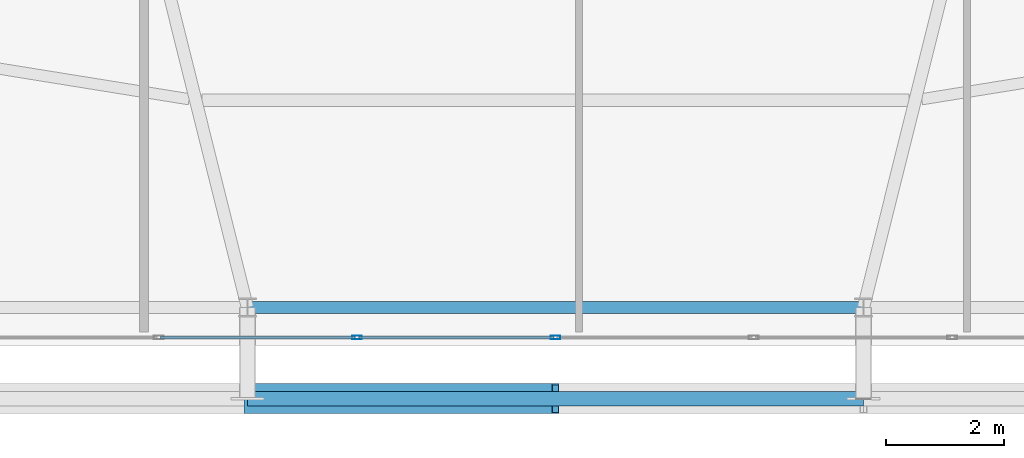
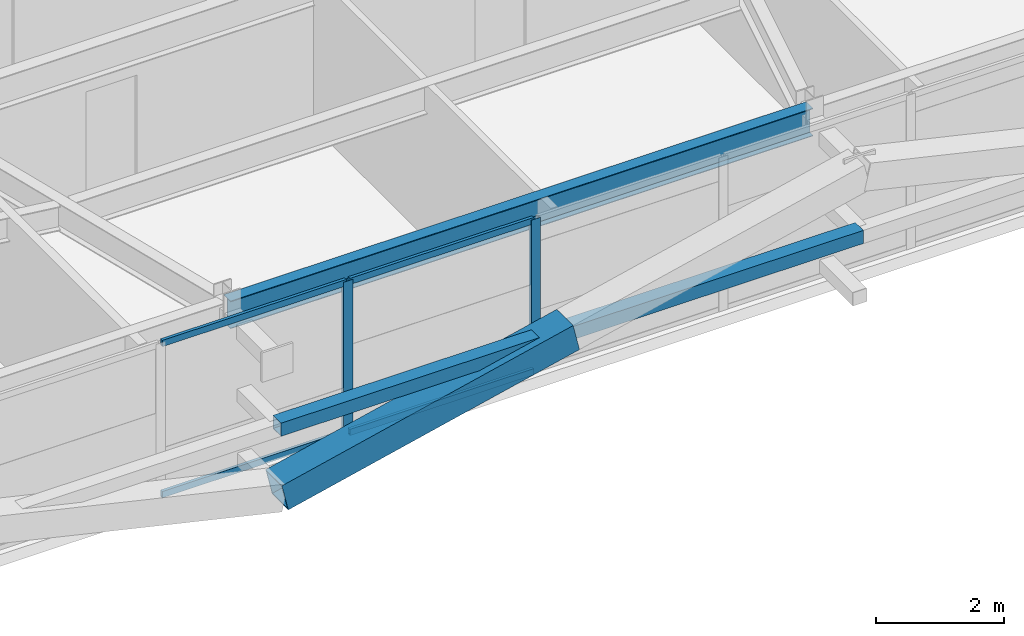
# One storey, part 12 of 58: 8 members, 1 beam, 1 element without a shape of its own.
"""IFC4 building model written with IfcOpenShell, lengths in metres."""

from ifc_helpers import new_model, si_unit, direction, frame, origin, origin_2d, place, context, subcontext, project, spatial, hollow_rectangle, i_section, extrude, source, transform, mapped, material, layer, layer_set, material_profile, profile_set, type_object, element, aggregate, save


model = new_model("IFC4")

# Units and contexts
model_context = context("Model", 3, precision=1e-05, world=origin(), true_north=direction((0.0, 1.0)))
body_context = subcontext(model_context, "Body", "Model", "MODEL_VIEW")
ifc_project = project(units=[si_unit("LENGTHUNIT", "METRE"), si_unit("AREAUNIT", "SQUARE_METRE"), si_unit("VOLUMEUNIT", "CUBIC_METRE"), si_unit("PLANEANGLEUNIT", "RADIAN"), si_unit("MASSUNIT", "GRAM", prefix="KILO")], contexts=[model_context])

# Site, building, storey
site_placement = place(None, origin())
site = spatial("IfcSite", under=ifc_project, at=site_placement, CompositionType="ELEMENT")
building_placement = place(site_placement, origin())
building = spatial("IfcBuilding", under=site, at=building_placement, Name="Taldren Reach Tower", CompositionType="ELEMENT")
storey_placement = place(building_placement, frame((0.0, 0.0, 35.699951171875)))
storey = spatial("IfcBuildingStorey", under=building, at=storey_placement, Name="L10", CompositionType="ELEMENT", Elevation=35.699951171875)

# Beam
ifc_material_1 = material(Name="Steel Gr 350 (350PLUS)", Category="steel")
ifc_material_profile_1 = material_profile(ifc_material_1, i_section(OverallWidth=0.208984375, OverallDepth=0.528076171875, WebThickness=0.009521484375, FlangeThickness=0.01318359375, at=origin_2d()), Name="530UB82.0")
ifc_profile_set_1 = profile_set([ifc_material_profile_1], Name="Steel Gr 350 (350PLUS)")
beam_type = type_object("IfcBeamType", Name="SP-UB530B", PredefinedType="SPANDREL", material=ifc_profile_set_1)
shared_shape_1 = source(origin(), body_context, "Body", "SweptSolid", [
    extrude(i_section(OverallWidth=0.208984375, OverallDepth=0.528076171875, WebThickness=0.009521484375, FlangeThickness=0.01318359375, at=origin_2d()), origin(), (0.0, 0.0, 1.0), 10.47998046875),
])
beam_placement = place(storey_placement, frame((29.760009765625, 2.14990234375, 2.666015625), z_axis=(1.0, 0.0, 0.0), x_axis=(0.0, 1.0, 0.0)))
element("IfcBeam", 1, at=beam_placement, inside=storey, type_object=beam_type, Name="Perimeter spandrel B1 S3-S4 L10", PredefinedType="SPANDREL", context=body_context, shape_type="MappedRepresentation", body=[
    mapped(shared_shape_1, transform((0.0, 0.0, 0.0), scale=1.0)),
])

# Members
ifc_material_2 = material(Name="Steel Gr 450 (C450L0)", Category="steel")
ifc_material_profile_2 = material_profile(ifc_material_2, hollow_rectangle(XDim=0.510009765625, YDim=0.510009765625, WallThickness=0.02001953125, at=origin_2d()), Name="510x510x20.0SHS")
ifc_profile_set_2 = profile_set([ifc_material_profile_2], Name="Steel Gr 450 (C450L0)")
member_type_1 = type_object("IfcMemberType", Name="MB-EXO508", PredefinedType="BRACE", material=ifc_profile_set_2)
shared_shape_2 = source(origin(), body_context, "Body", "SweptSolid", [
    extrude(hollow_rectangle(XDim=0.510009765625, YDim=0.510009765625, WallThickness=0.02001953125, at=origin_2d()), origin(), (0.0, 0.0, 1.0), 5.37890625),
])
member_1_placement = place(storey_placement, frame((29.760009765625, 0.60009765625, 0.219970703125), z_axis=(0.97415197996, 0.0, 0.225893603143), x_axis=(0.0, 1.0, 0.0)))
element("IfcMember", 2, at=member_1_placement, inside=storey, type_object=member_type_1, Name="Exoskeleton Diagrid Brace B1-S3 L10", PredefinedType="BRACE", context=body_context, shape_type="MappedRepresentation", body=[
    mapped(shared_shape_2, transform((0.0, 0.0, 0.0), scale=1.0)),
])
ifc_material_3 = material(Name="Steel Gr 350 (C350L0)", Category="steel")
ifc_material_profile_3 = material_profile(ifc_material_3, hollow_rectangle(XDim=0.25, YDim=0.25, WallThickness=0.010009765625, at=origin_2d()), Name="250x250x10.0SHS")
ifc_profile_set_3 = profile_set([ifc_material_profile_3], Name="Steel Gr 350 (C350L0)")
member_type_2 = type_object("IfcMemberType", Name="MB-POST250", PredefinedType="POST", material=ifc_profile_set_3)
shared_shape_3 = source(origin(), body_context, "Body", "SweptSolid", [
    extrude(hollow_rectangle(XDim=0.25, YDim=0.25, WallThickness=0.010009765625, at=origin_2d()), origin(), (0.0, 0.0, 1.0), 10.47998046875),
])
member_2_placement = place(storey_placement, frame((29.760009765625, 0.60009765625, 1.43505859375), z_axis=(1.0, 0.0, 0.0), x_axis=(0.0, 1.0, 0.0)))
element("IfcMember", 3, at=member_2_placement, inside=storey, type_object=member_type_2, Name="Exoskeleton mid-height ring chord B1-S3 L10", PredefinedType="POST", context=body_context, shape_type="MappedRepresentation", body=[
    mapped(shared_shape_3, transform((0.0, 0.0, 0.0), scale=1.0)),
])

# Curtain wall, members
ifc_material_4 = material(Name="Aluminium and Low-E Glass Unitised System", Category="aluminium")
ifc_layer = layer(ifc_material_4, 0.159912109375)
ifc_layer_set = layer_set([ifc_layer], Name="Aluminium and Low-E Glass Unitised System")
curtain_wall_type = type_object("IfcCurtainWallType", Name="CW-SYS-2", PredefinedType="NOTDEFINED", material=ifc_layer_set)
curtain_wall_placement = place(storey_placement, origin())
curtain_wall = element("IfcCurtainWall", 4, at=curtain_wall_placement, inside=storey, type_object=curtain_wall_type, Name="Unitised curtain wall CW-L10-S", PredefinedType="NOTDEFINED")
ifc_material_5 = material(Name="Anodised Aluminium 6063-T6", Category="aluminium")
ifc_material_profile_4 = material_profile(ifc_material_5, hollow_rectangle(XDim=0.06494140625, YDim=0.1650390625, WallThickness=0.00390625, at=origin_2d()), Name="ALU-165x65x4RHS")
ifc_profile_set_4 = profile_set([ifc_material_profile_4], Name="Anodised Aluminium 6063-T6")
member_type_3 = type_object("IfcMemberType", Name="CW-MUL-165", PredefinedType="MULLION", material=ifc_profile_set_4)
shared_shape_4 = source(origin(), body_context, "Body", "SweptSolid", [
    extrude(hollow_rectangle(XDim=0.06494140625, YDim=0.1650390625, WallThickness=0.00390625, at=origin_2d()), origin(), (0.0, 0.0, 1.0), 2.929931640625),
])
member_3_placement = place(storey_placement, frame((31.625, 1.639892578125, 0.0), z_axis=(0.0, 0.0, 1.0), x_axis=(0.0, 1.0, 0.0)))
member_3 = element("IfcMember", 5, at=member_3_placement, type_object=member_type_3, Name="CW-2 mullion 8", PredefinedType="MULLION", context=body_context, shape_type="MappedRepresentation", body=[
    mapped(shared_shape_4, transform((0.0, 0.0, 0.0), scale=1.0)),
])
member_4_placement = place(storey_placement, frame((35.0, 1.639892578125, 0.0), z_axis=(0.0, 0.0, 1.0), x_axis=(0.0, 1.0, 0.0)))
member_4 = element("IfcMember", 6, at=member_4_placement, type_object=member_type_3, Name="CW-2 mullion 9", PredefinedType="MULLION", context=body_context, shape_type="MappedRepresentation", body=[
    mapped(shared_shape_4, transform((0.0, 0.0, 0.0), scale=1.0)),
])
ifc_material_profile_5 = material_profile(ifc_material_5, hollow_rectangle(XDim=0.054931640625, YDim=0.1201171875, WallThickness=0.0029296875, at=origin_2d()), Name="ALU-120x55x3RHS")
ifc_profile_set_5 = profile_set([ifc_material_profile_5], Name="Anodised Aluminium 6063-T6")
member_type_4 = type_object("IfcMemberType", Name="CW-TRN-135", PredefinedType="USERDEFINED", material=ifc_profile_set_5)
shared_shape_5 = source(origin(), body_context, "Body", "SweptSolid", [
    extrude(hollow_rectangle(XDim=0.054931640625, YDim=0.1201171875, WallThickness=0.0029296875, at=origin_2d()), origin(), (0.0, 0.0, 1.0), 3.31005859375),
])
member_5_placement = place(storey_placement, frame((28.282470703125, 1.639892578125, 0.027587890625), z_axis=(1.0, 0.0, 0.0), x_axis=(0.0, 1.0, 0.0)))
member_5 = element("IfcMember", 7, at=member_5_placement, type_object=member_type_4, Name="CW-2 transom 7.1", ObjectType="TRANSOM", PredefinedType="USERDEFINED", context=body_context, shape_type="MappedRepresentation", body=[
    mapped(shared_shape_5, transform((0.0, 0.0, 0.0), scale=1.0)),
])
member_6_placement = place(storey_placement, frame((28.282470703125, 1.639892578125, 2.902587890625), z_axis=(1.0, 0.0, 0.0), x_axis=(0.0, 1.0, 0.0)))
member_6 = element("IfcMember", 8, at=member_6_placement, type_object=member_type_4, Name="CW-2 transom 7.2", ObjectType="TRANSOM", PredefinedType="USERDEFINED", context=body_context, shape_type="MappedRepresentation", body=[
    mapped(shared_shape_5, transform((0.0, 0.0, 0.0), scale=1.0)),
])
member_7_placement = place(storey_placement, frame((31.657470703125, 1.639892578125, 0.027587890625), z_axis=(1.0, 0.0, 0.0), x_axis=(0.0, 1.0, 0.0)))
member_7 = element("IfcMember", 9, at=member_7_placement, type_object=member_type_4, Name="CW-2 transom 8.1", ObjectType="TRANSOM", PredefinedType="USERDEFINED", context=body_context, shape_type="MappedRepresentation", body=[
    mapped(shared_shape_5, transform((0.0, 0.0, 0.0), scale=1.0)),
])
member_8_placement = place(storey_placement, frame((31.657470703125, 1.639892578125, 2.902587890625), z_axis=(1.0, 0.0, 0.0), x_axis=(0.0, 1.0, 0.0)))
member_8 = element("IfcMember", 10, at=member_8_placement, type_object=member_type_4, Name="CW-2 transom 8.2", ObjectType="TRANSOM", PredefinedType="USERDEFINED", context=body_context, shape_type="MappedRepresentation", body=[
    mapped(shared_shape_5, transform((0.0, 0.0, 0.0), scale=1.0)),
])
aggregate(curtain_wall, [member_3, member_4, member_5, member_6, member_7, member_8])

save(model, "model.ifc")
